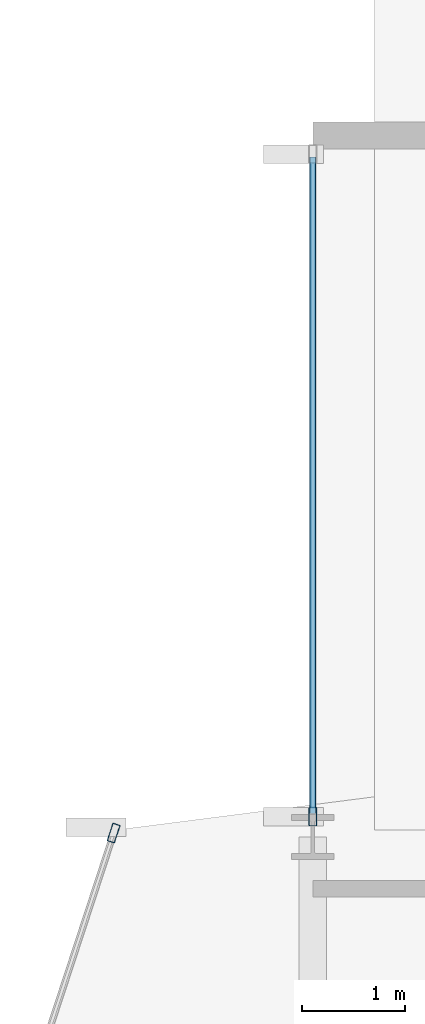
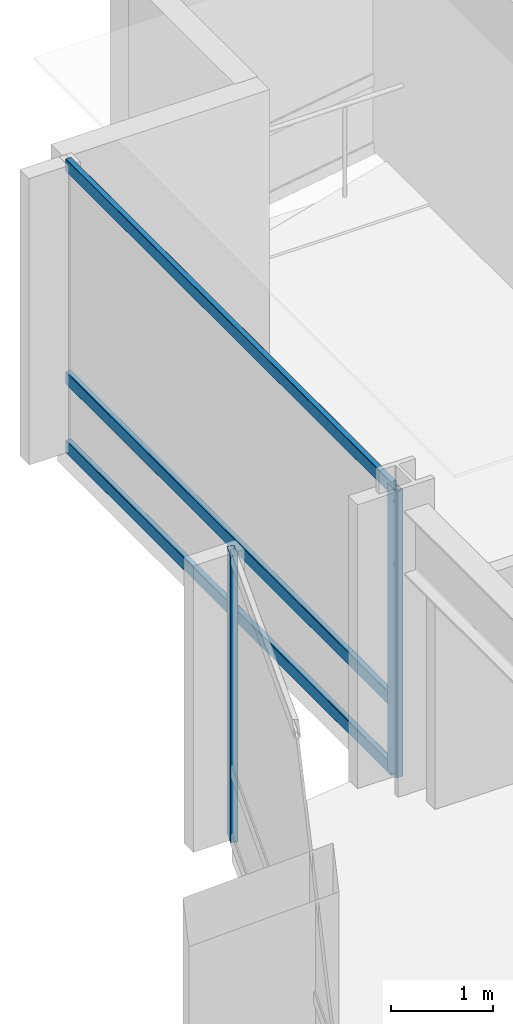
# One storey, part 16 of 28: 5 members, 2 elements without a shape of their own.
"""IFC4 building model written with IfcOpenShell, lengths in metres."""

from ifc_helpers import new_model, si_unit, direction, frame, origin, origin_2d, place, context, subcontext, project, spatial, hollow_rectangle, extrude, material, layer, layer_set, material_profile, profile_set, type_object, element, aggregate, save


model = new_model("IFC4")

# Units and contexts
model_context = context("Model", 3, precision=1e-05, world=origin(), true_north=direction((0.0, 1.0)))
body_context = subcontext(model_context, "Body", "Model", "MODEL_VIEW")
ifc_project = project(units=[si_unit("LENGTHUNIT", "METRE"), si_unit("AREAUNIT", "SQUARE_METRE"), si_unit("VOLUMEUNIT", "CUBIC_METRE"), si_unit("PLANEANGLEUNIT", "RADIAN"), si_unit("MASSUNIT", "GRAM", prefix="KILO")], contexts=[model_context])

# Site, building, storey
site_placement = place(None, origin())
site = spatial("IfcSite", under=ifc_project, at=site_placement, CompositionType="ELEMENT")
building_placement = place(site_placement, origin())
building = spatial("IfcBuilding", under=site, at=building_placement, Name="Solvaryn Broadcast Tower", CompositionType="ELEMENT")
storey_placement = place(building_placement, frame((0.0, 0.0, 154.39990234375)))
storey = spatial("IfcBuildingStorey", under=building, at=storey_placement, Name="L38", CompositionType="ELEMENT", Elevation=154.39990234375)

# Curtain wall, member
ifc_material_1 = material(Name="Aluminium and Terracotta Unitised Curtain Wall", Category="masonry")
ifc_layer = layer(ifc_material_1, 0.199951171875)
ifc_layer_set = layer_set([ifc_layer], Name="CW-SYS2-LOWMID")
curtain_wall_type = type_object("IfcCurtainWallType", Name="CW-SYS2-LOWMID", PredefinedType="NOTDEFINED", material=ifc_layer_set)
curtain_wall_1_placement = place(storey_placement, origin())
curtain_wall_1 = element("IfcCurtainWall", 1, at=curtain_wall_1_placement, inside=storey, type_object=curtain_wall_type, Name="L38 Curtain Wall DR1", PredefinedType="NOTDEFINED")
ifc_material_2 = material(Name="Anodised Aluminium 6063-T6", Category="aluminium")
ifc_material_profile_1 = material_profile(ifc_material_2, hollow_rectangle(XDim=0.074951171875, YDim=0.179931640625, WallThickness=0.00390625, InnerFilletRadius=0.00390625, OuterFilletRadius=0.008056640625, at=origin_2d()))
ifc_profile_set_1 = profile_set([ifc_material_profile_1], Name="Anodised Aluminium 6063-T6")
member_type_1 = type_object("IfcMemberType", Name="CW-MUL-180", PredefinedType="MULLION", material=ifc_profile_set_1)
member_1_placement = place(storey_placement, frame((7.069580078125, 45.03857421875, 0.0), z_axis=(0.0, 0.0, 1.0), x_axis=(0.950198260794, -0.311646057547, 0.0)))
member_1 = element("IfcMember", 2, at=member_1_placement, type_object=member_type_1, Name="CWS2 mullion 1", PredefinedType="MULLION", context=body_context, shape_type="SweptSolid", body=[
    extrude(hollow_rectangle(XDim=0.074951171875, YDim=0.179931640625, WallThickness=0.00390625, InnerFilletRadius=0.00390625, OuterFilletRadius=0.008056640625, at=origin_2d()), origin(), (0.0, 0.0, 1.0), 3.420166015625),
])
aggregate(curtain_wall_1, [member_1])

# Curtain wall, members
curtain_wall_2_placement = place(storey_placement, origin())
curtain_wall_2 = element("IfcCurtainWall", 3, at=curtain_wall_2_placement, inside=storey, type_object=curtain_wall_type, Name="L38 Curtain Wall W2", PredefinedType="NOTDEFINED")
member_2_placement = place(storey_placement, frame((9.0, 45.197021484375, 0.0), z_axis=(0.0, 0.0, 1.0), x_axis=(-1.0, 0.0, 0.0)))
member_2 = element("IfcMember", 4, at=member_2_placement, type_object=member_type_1, Name="CWS2 mullion 1", PredefinedType="MULLION", context=body_context, shape_type="SweptSolid", body=[
    extrude(hollow_rectangle(XDim=0.074951171875, YDim=0.179931640625, WallThickness=0.00390625, InnerFilletRadius=0.00390625, OuterFilletRadius=0.008056640625, at=origin_2d()), origin(), (0.0, 0.0, 1.0), 3.420166015625),
])
ifc_material_3 = material(Name="Anodised Aluminium 6063-T6", Category="aluminium")
ifc_material_profile_2 = material_profile(ifc_material_3, hollow_rectangle(XDim=0.06494140625, YDim=0.14990234375, WallThickness=0.00390625, InnerFilletRadius=0.00390625, OuterFilletRadius=0.008056640625, at=origin_2d()))
ifc_profile_set_2 = profile_set([ifc_material_profile_2], Name="Anodised Aluminium 6063-T6")
member_type_2 = type_object("IfcMemberType", Name="CW-TRN-150", PredefinedType="USERDEFINED", material=ifc_profile_set_2)
member_3_placement = place(storey_placement, frame((9.0, 45.22705078125, 0.030029296875), z_axis=(0.0, 1.0, 0.0), x_axis=(-1.0, 0.0, 0.0)))
member_3 = element("IfcMember", 5, at=member_3_placement, type_object=member_type_2, Name="CWS2 transom 1.1", ObjectType="TRANSOM", PredefinedType="USERDEFINED", context=body_context, shape_type="SweptSolid", body=[
    extrude(hollow_rectangle(XDim=0.06494140625, YDim=0.14990234375, WallThickness=0.00390625, InnerFilletRadius=0.00390625, OuterFilletRadius=0.008056640625, at=origin_2d()), origin(), (0.0, 0.0, 1.0), 6.363037109375),
])
member_4_placement = place(storey_placement, frame((9.0, 45.22705078125, 0.85009765625), z_axis=(0.0, 1.0, 0.0), x_axis=(-1.0, 0.0, 0.0)))
member_4 = element("IfcMember", 6, at=member_4_placement, type_object=member_type_2, Name="CWS2 transom 1.2", ObjectType="TRANSOM", PredefinedType="USERDEFINED", context=body_context, shape_type="SweptSolid", body=[
    extrude(hollow_rectangle(XDim=0.06494140625, YDim=0.14990234375, WallThickness=0.00390625, InnerFilletRadius=0.00390625, OuterFilletRadius=0.008056640625, at=origin_2d()), origin(), (0.0, 0.0, 1.0), 6.363037109375),
])
member_5_placement = place(storey_placement, frame((9.0, 45.22705078125, 3.39013671875), z_axis=(0.0, 1.0, 0.0), x_axis=(-1.0, 0.0, 0.0)))
member_5 = element("IfcMember", 7, at=member_5_placement, type_object=member_type_2, Name="CWS2 transom 1.3", ObjectType="TRANSOM", PredefinedType="USERDEFINED", context=body_context, shape_type="SweptSolid", body=[
    extrude(hollow_rectangle(XDim=0.06494140625, YDim=0.14990234375, WallThickness=0.00390625, InnerFilletRadius=0.00390625, OuterFilletRadius=0.008056640625, at=origin_2d()), origin(), (0.0, 0.0, 1.0), 6.363037109375),
])
aggregate(curtain_wall_2, [member_2, member_3, member_4, member_5])

save(model, "model.ifc")
